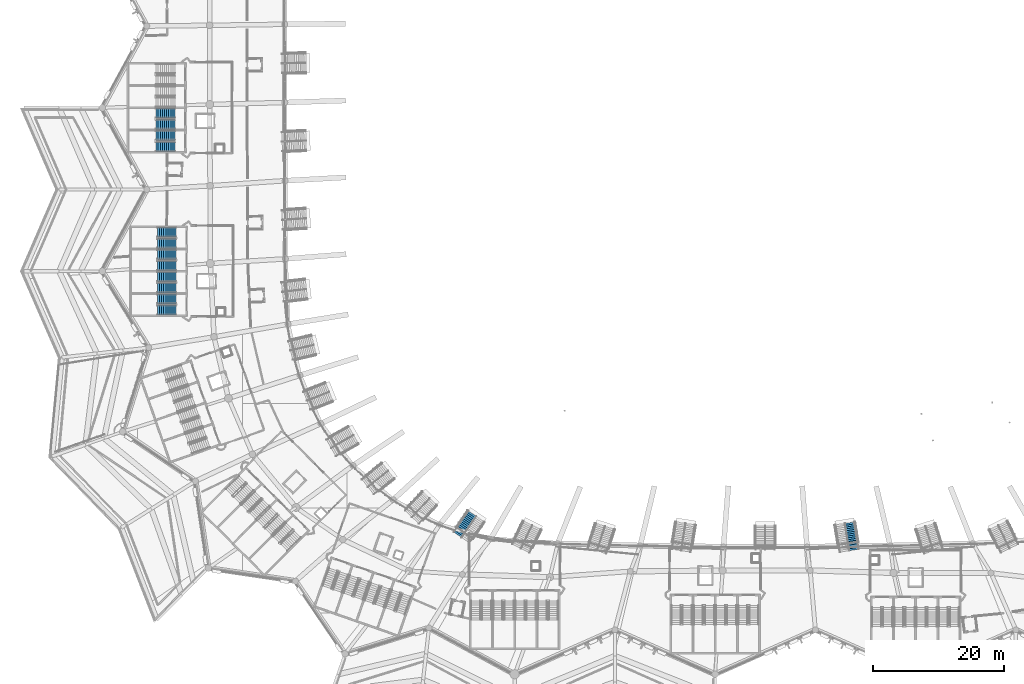
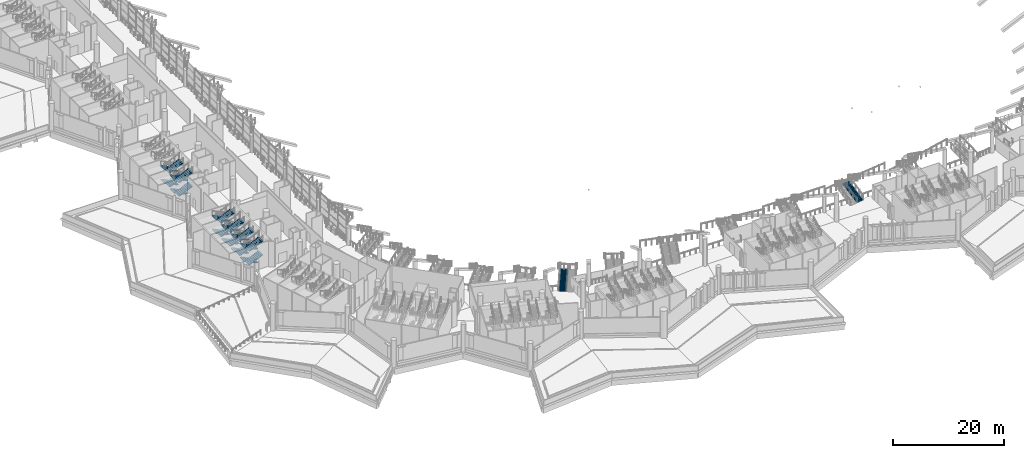
# One storey, part 84 of 173: 26 stair flights, 8 elements without a shape of their own.
"""IFC4 building model written with IfcOpenShell, lengths in metres."""

import ifcopenshell
import ifcopenshell.guid

model = None  # the IFC model being written
_history = None  # IfcOwnerHistory: only IFC2X3 demands one
_inside = {}  # id of a spatial element -> (the spatial element, [elements in it])
_under = {}  # id of a project, library or spatial element -> (it, [spatial elements below it])
_declared = {}  # id of a project -> (the project, [libraries it declares])
_typed = {}  # id of a type object -> (the type object, [elements of that type])
_made_of = {}  # id of a material, layer set ... -> (it, [elements and type objects made of it])


def new_model(schema):
    """Start an empty IFC model of exactly this schema.

    Asked for "IFC4X3", IfcOpenShell would pick the latest addendum, in which some entities
    have other attributes; the version numbers below select the first issue.
    IFC2X3 requires an IfcOwnerHistory on every rooted entity: one is made here for all.
    """
    global model, _history
    if schema == "IFC4X3":
        model = ifcopenshell.file(schema_version=(4, 3, 0, 0))
    else:
        model = ifcopenshell.file(schema=schema)
    _inside.clear()
    _under.clear()
    _declared.clear()
    _typed.clear()
    _made_of.clear()
    _history = None
    if model.schema == "IFC2X3":
        org = make("IfcOrganization", Name="unknown")
        user = make(
            "IfcPersonAndOrganization",
            ThePerson=make("IfcPerson", FamilyName="unknown"),
            TheOrganization=org,
        )
        app = make(
            "IfcApplication",
            ApplicationDeveloper=org,
            Version="unknown",
            ApplicationFullName="unknown",
            ApplicationIdentifier="unknown",
        )
        _history = make(
            "IfcOwnerHistory",
            OwningUser=user,
            OwningApplication=app,
            ChangeAction="ADDED",
            CreationDate=0,
        )
    return model


def make(cls, **values):
    """One entity of the class cls with the attributes given. An attribute that is None is left unset."""
    return model.create_entity(
        cls, **{name: value for name, value in values.items() if value is not None}
    )


def rooted(cls, **values):
    """An entity with a GlobalId (a new one), such as an element, a storey or a relation."""
    return make(cls, GlobalId=ifcopenshell.guid.new(), OwnerHistory=_history, **values)


def si_unit(unit_type, name, prefix=None):
    """IfcSIUnit, for example si_unit("LENGTHUNIT", "METRE", prefix="MILLI")."""
    return make("IfcSIUnit", UnitType=unit_type, Prefix=prefix, Name=name)


def assignment(units):
    """IfcUnitAssignment: the units of a project."""
    return None if units is None else make("IfcUnitAssignment", Units=units)


def point(xyz):
    """IfcCartesianPoint."""
    return None if xyz is None else make("IfcCartesianPoint", Coordinates=xyz)


def direction(xyz):
    """IfcDirection."""
    return None if xyz is None else make("IfcDirection", DirectionRatios=xyz)


def frame(location, z_axis=None, x_axis=None):
    """IfcAxis2Placement3D, a coordinate frame: its origin and axes. An axis left out is left unset."""
    return make(
        "IfcAxis2Placement3D",
        Location=point(location),
        Axis=direction(z_axis),
        RefDirection=direction(x_axis),
    )


def origin():
    """The frame at (0, 0, 0) with its axes left unset."""
    return frame((0.0, 0.0, 0.0))


def place(relative_to, where):
    """IfcLocalPlacement: puts the frame where relative to a parent placement (None: the world)."""
    return make(
        "IfcLocalPlacement", PlacementRelTo=relative_to, RelativePlacement=where
    )


def context(
    kind, dimensions, precision=None, world=None, true_north=None, identifier=None
):
    """IfcGeometricRepresentationContext, for example the 3D "Model" context."""
    return make(
        "IfcGeometricRepresentationContext",
        ContextIdentifier=identifier,
        ContextType=kind,
        CoordinateSpaceDimension=dimensions,
        Precision=precision,
        WorldCoordinateSystem=world,
        TrueNorth=true_north,
    )


def subcontext(parent, identifier, kind, view, scale=None):
    """IfcGeometricRepresentationSubContext, for example "Body" below "Model"."""
    return make(
        "IfcGeometricRepresentationSubContext",
        ContextIdentifier=identifier,
        ContextType=kind,
        ParentContext=parent,
        TargetScale=scale,
        TargetView=view,
    )


def project(units=None, contexts=None):
    """IfcProject with its units and contexts."""
    return rooted(
        "IfcProject",
        Name="project",
        RepresentationContexts=contexts,
        UnitsInContext=assignment(units),
    )


def spatial(cls, under=None, at=None, **own):
    """A site, building, storey or space (cls), placed at a placement, below another one or the project."""
    s = rooted(cls, ObjectPlacement=at, **own)
    if under is not None:
        _under.setdefault(under.id(), (under, []))[1].append(s)
    return s


def polyline(points):
    """IfcPolyline through the points."""
    return make("IfcPolyline", Points=[point(p) for p in points])


def outline(outer, holes=None, kind="AREA"):
    """IfcArbitraryClosedProfileDef: a profile drawn as a closed curve; with holes, ...WithVoids."""
    if holes is None:
        return make("IfcArbitraryClosedProfileDef", ProfileType=kind, OuterCurve=outer)
    return make(
        "IfcArbitraryProfileDefWithVoids",
        ProfileType=kind,
        OuterCurve=outer,
        InnerCurves=holes,
    )


def extrude(swept, where, along, depth):
    """IfcExtrudedAreaSolid: the profile swept, set in the frame where, extruded along a direction by depth."""
    return make(
        "IfcExtrudedAreaSolid",
        SweptArea=swept,
        Position=where,
        ExtrudedDirection=direction(along),
        Depth=depth,
    )


def shape(context_of_items, identifier, shape_type, items):
    """IfcShapeRepresentation: the items that make up one representation, for example the "Body"."""
    return make(
        "IfcShapeRepresentation",
        ContextOfItems=context_of_items,
        RepresentationIdentifier=identifier,
        RepresentationType=shape_type,
        Items=items,
    )


def material(Name=None, Category=None):
    """IfcMaterial."""
    return make("IfcMaterial", Name=Name, Category=Category)


def made_of(thing, what):
    """Note that an element or type object is made of a material, layer set ...; save() writes the relation."""
    if what is not None:
        _made_of.setdefault(what.id(), (what, []))[1].append(thing)
    return thing


def type_object(cls, material=None, **own):
    """A type object (cls), such as IfcWallType, which elements share."""
    return made_of(rooted(cls, **own), material)


def element(
    cls,
    number,
    at=None,
    inside=None,
    cuts=None,
    type_object=None,
    material=None,
    context=None,
    identifier="Body",
    shape_type=None,
    held_by="IfcProductDefinitionShape",
    body=None,
    shapes=None,
    **own,
):
    """One element of the class cls, such as IfcWall. Its Tag is "e" and its number.

    at: its placement. inside: the storey or other place that contains it. cuts: it is an
    opening in that element (IfcRelVoidsElement). A single representation is given by context,
    identifier, shape_type and body (its items); several are given by shapes. held_by: the class
    of the entity that holds the representations. save() writes the other relations.
    """
    e = rooted(cls, Tag="e%d" % number, ObjectPlacement=at, **own)
    if body is not None:
        shapes = [shape(context, identifier, shape_type, body)]
    if shapes is not None:
        e.Representation = make(held_by, Representations=shapes)
    if inside is not None:
        _inside.setdefault(inside.id(), (inside, []))[1].append(e)
    if cuts is not None:
        rooted(
            "IfcRelVoidsElement", RelatingBuildingElement=cuts, RelatedOpeningElement=e
        )
    if type_object is not None:
        _typed.setdefault(type_object.id(), (type_object, []))[1].append(e)
    return made_of(e, material)


def aggregate(whole, parts):
    """IfcRelAggregates: a whole, such as a stair, and the parts it consists of."""
    return rooted("IfcRelAggregates", RelatingObject=whole, RelatedObjects=parts)


def save(model, path):
    """Write the relations noted so far, then the file.

    IfcRelAggregates (storeys below a building ...), IfcRelContainedInSpatialStructure (elements
    in a storey), IfcRelDefinesByType, IfcRelAssociatesMaterial and IfcRelDeclares: one each for
    every whole, place, type object, material and project.
    """
    for whole, parts in _under.values():
        aggregate(whole, parts)
    for where, things in _inside.values():
        rooted(
            "IfcRelContainedInSpatialStructure",
            RelatedElements=things,
            RelatingStructure=where,
        )
    for kind, things in _typed.values():
        rooted("IfcRelDefinesByType", RelatedObjects=things, RelatingType=kind)
    for what, things in _made_of.values():
        rooted("IfcRelAssociatesMaterial", RelatedObjects=things, RelatingMaterial=what)
    for by, libraries in _declared.values():
        rooted("IfcRelDeclares", RelatingContext=by, RelatedDefinitions=libraries)
    model.write(path)


model = new_model("IFC4")

# Units and contexts
model_context = context("Model", 3, precision=1e-05, world=origin(), true_north=direction((0.0, 1.0)))
body_context = subcontext(model_context, "Body", "Model", "MODEL_VIEW")
ifc_project = project(units=[si_unit("LENGTHUNIT", "METRE"), si_unit("AREAUNIT", "SQUARE_METRE"), si_unit("VOLUMEUNIT", "CUBIC_METRE"), si_unit("PLANEANGLEUNIT", "RADIAN"), si_unit("MASSUNIT", "GRAM", prefix="KILO")], contexts=[model_context])

# Site, building, storey
site_placement = place(None, origin())
site = spatial("IfcSite", under=ifc_project, at=site_placement, CompositionType="ELEMENT")
building_placement = place(site_placement, origin())
building = spatial("IfcBuilding", under=site, at=building_placement, Name="Meseta Stadium", CompositionType="ELEMENT")
storey_placement = place(building_placement, frame((0.0, 0.0, 18.0)))
storey = spatial("IfcBuildingStorey", under=building, at=storey_placement, Name="L03", CompositionType="ELEMENT", Elevation=18.0)

# Stair, stair flights
ifc_material_1 = material(Name="Concrete C40/50", Category="concrete")
stair_type_1 = type_object("IfcStairType", Name="Exit stair 4 flights 150 mm risers", PredefinedType="HALF_TURN_STAIR", material=ifc_material_1)
stair_1_placement = place(storey_placement, origin())
stair_1 = element("IfcStair", 1, at=stair_1_placement, inside=storey, type_object=stair_type_1, Name="ST71 L03", PredefinedType="HALF_TURN_STAIR")
ifc_material_2 = material(Name="Concrete C40/50", Category="concrete")
stair_flight_type_1 = type_object("IfcStairFlightType", Name="Exit stair flight 150 mm risers, 4 per storey", PredefinedType="STRAIGHT", material=ifc_material_2)
stair_flight_1_placement = place(storey_placement, frame((-90.300048828125, -19.60009765625, 0.0), z_axis=(0.0, 0.0, 1.0), x_axis=(-1.0, 0.0, 0.0)))
stair_flight_1 = element("IfcStairFlight", 2, at=stair_flight_1_placement, type_object=stair_flight_type_1, Name="ST71 L03 flight 1", NumberOfRisers=10, NumberOfTreads=9, PredefinedType="STRAIGHT", RiserHeight=0.15, TreadLength=0.32, context=body_context, shape_type="SweptSolid", body=[
    extrude(outline(polyline([(0.0, 0.0), (0.0, 0.14990234375), (0.320068359375, 0.14990234375), (0.320068359375, 0.300048828125), (0.639892578125, 0.300048828125), (0.639892578125, 0.449951171875), (0.9599609375, 0.449951171875), (0.9599609375, 0.60009765625), (1.280029296875, 0.60009765625), (1.280029296875, 0.75), (1.60009765625, 0.75), (1.60009765625, 0.89990234375), (1.919921875, 0.89990234375), (1.919921875, 1.050048828125), (2.239990234375, 1.050048828125), (2.239990234375, 1.199951171875), (2.56005859375, 1.199951171875), (2.56005859375, 1.35009765625), (2.8798828125, 1.35009765625), (2.8798828125, 1.184326171875), (0.353271484375, 0.0), (0.0, 0.0)])), frame((0.0, 0.75, 0.0), z_axis=(0.0, -1.0, 0.0), x_axis=(1.0, 0.0, 0.0)), (0.0, 0.0, 1.0), 1.5),
])
stair_flight_2_placement = place(storey_placement, frame((-93.179931640625, -21.300048828125, 1.5), z_axis=(0.0, 0.0, 1.0), x_axis=(1.0, 0.0, 0.0)))
stair_flight_2 = element("IfcStairFlight", 3, at=stair_flight_2_placement, type_object=stair_flight_type_1, Name="ST71 L03 flight 2", NumberOfRisers=10, NumberOfTreads=9, PredefinedType="STRAIGHT", RiserHeight=0.15, TreadLength=0.32, context=body_context, shape_type="SweptSolid", body=[
    extrude(outline(polyline([(0.0, 0.0), (0.0, 0.14990234375), (0.320068359375, 0.14990234375), (0.320068359375, 0.300048828125), (0.639892578125, 0.300048828125), (0.639892578125, 0.449951171875), (0.9599609375, 0.449951171875), (0.9599609375, 0.60009765625), (1.280029296875, 0.60009765625), (1.280029296875, 0.75), (1.60009765625, 0.75), (1.60009765625, 0.89990234375), (1.919921875, 0.89990234375), (1.919921875, 1.050048828125), (2.239990234375, 1.050048828125), (2.239990234375, 1.199951171875), (2.56005859375, 1.199951171875), (2.56005859375, 1.35009765625), (2.8798828125, 1.35009765625), (2.8798828125, 1.184326171875), (0.353271484375, 0.0), (0.0, 0.0)])), frame((0.0, 0.75, 0.0), z_axis=(0.0, -1.0, 0.0), x_axis=(1.0, 0.0, 0.0)), (0.0, 0.0, 1.0), 1.5),
])
stair_flight_3_placement = place(storey_placement, frame((-90.300048828125, -19.60009765625, 3.0), z_axis=(0.0, 0.0, 1.0), x_axis=(-1.0, 0.0, 0.0)))
stair_flight_3 = element("IfcStairFlight", 4, at=stair_flight_3_placement, type_object=stair_flight_type_1, Name="ST71 L03 flight 3", NumberOfRisers=10, NumberOfTreads=9, PredefinedType="STRAIGHT", RiserHeight=0.15, TreadLength=0.32, context=body_context, shape_type="SweptSolid", body=[
    extrude(outline(polyline([(0.0, 0.0), (0.0, 0.14990234375), (0.320068359375, 0.14990234375), (0.320068359375, 0.300048828125), (0.639892578125, 0.300048828125), (0.639892578125, 0.449951171875), (0.9599609375, 0.449951171875), (0.9599609375, 0.60009765625), (1.280029296875, 0.60009765625), (1.280029296875, 0.75), (1.60009765625, 0.75), (1.60009765625, 0.89990234375), (1.919921875, 0.89990234375), (1.919921875, 1.050048828125), (2.239990234375, 1.050048828125), (2.239990234375, 1.199951171875), (2.56005859375, 1.199951171875), (2.56005859375, 1.35009765625), (2.8798828125, 1.35009765625), (2.8798828125, 1.184326171875), (0.353271484375, 0.0), (0.0, 0.0)])), frame((0.0, 0.75, 0.0), z_axis=(0.0, -1.0, 0.0), x_axis=(1.0, 0.0, 0.0)), (0.0, 0.0, 1.0), 1.5),
])
stair_flight_4_placement = place(storey_placement, frame((-93.179931640625, -21.300048828125, 4.5), z_axis=(0.0, 0.0, 1.0), x_axis=(1.0, 0.0, 0.0)))
stair_flight_4 = element("IfcStairFlight", 5, at=stair_flight_4_placement, type_object=stair_flight_type_1, Name="ST71 L03 flight 4", NumberOfRisers=10, NumberOfTreads=9, PredefinedType="STRAIGHT", RiserHeight=0.15, TreadLength=0.32, context=body_context, shape_type="SweptSolid", body=[
    extrude(outline(polyline([(0.0, 0.0), (0.0, 0.14990234375), (0.320068359375, 0.14990234375), (0.320068359375, 0.300048828125), (0.639892578125, 0.300048828125), (0.639892578125, 0.449951171875), (0.9599609375, 0.449951171875), (0.9599609375, 0.60009765625), (1.280029296875, 0.60009765625), (1.280029296875, 0.75), (1.60009765625, 0.75), (1.60009765625, 0.89990234375), (1.919921875, 0.89990234375), (1.919921875, 1.050048828125), (2.239990234375, 1.050048828125), (2.239990234375, 1.199951171875), (2.56005859375, 1.199951171875), (2.56005859375, 1.35009765625), (2.8798828125, 1.35009765625), (2.8798828125, 1.184326171875), (0.353271484375, 0.0), (0.0, 0.0)])), frame((0.0, 0.75, 0.0), z_axis=(0.0, -1.0, 0.0), x_axis=(1.0, 0.0, 0.0)), (0.0, 0.0, 1.0), 1.5),
])
aggregate(stair_1, [stair_flight_1, stair_flight_2, stair_flight_3, stair_flight_4])

stair_2_placement = place(storey_placement, origin())
stair_2 = element("IfcStair", 6, at=stair_2_placement, inside=storey, type_object=stair_type_1, Name="ST72 L03", PredefinedType="HALF_TURN_STAIR")
stair_flight_5_placement = place(storey_placement, frame((-90.300048828125, -23.0, 0.0), z_axis=(0.0, 0.0, 1.0), x_axis=(-1.0, 0.0, 0.0)))
stair_flight_5 = element("IfcStairFlight", 7, at=stair_flight_5_placement, type_object=stair_flight_type_1, Name="ST72 L03 flight 1", NumberOfRisers=10, NumberOfTreads=9, PredefinedType="STRAIGHT", RiserHeight=0.15, TreadLength=0.32, context=body_context, shape_type="SweptSolid", body=[
    extrude(outline(polyline([(0.0, 0.0), (0.0, 0.14990234375), (0.320068359375, 0.14990234375), (0.320068359375, 0.300048828125), (0.639892578125, 0.300048828125), (0.639892578125, 0.449951171875), (0.9599609375, 0.449951171875), (0.9599609375, 0.60009765625), (1.280029296875, 0.60009765625), (1.280029296875, 0.75), (1.60009765625, 0.75), (1.60009765625, 0.89990234375), (1.919921875, 0.89990234375), (1.919921875, 1.050048828125), (2.239990234375, 1.050048828125), (2.239990234375, 1.199951171875), (2.56005859375, 1.199951171875), (2.56005859375, 1.35009765625), (2.8798828125, 1.35009765625), (2.8798828125, 1.184326171875), (0.353271484375, 0.0), (0.0, 0.0)])), frame((0.0, 0.75, 0.0), z_axis=(0.0, -1.0, 0.0), x_axis=(1.0, 0.0, 0.0)), (0.0, 0.0, 1.0), 1.5),
])
stair_flight_6_placement = place(storey_placement, frame((-93.179931640625, -24.699951171875, 1.5), z_axis=(0.0, 0.0, 1.0), x_axis=(1.0, 0.0, 0.0)))
stair_flight_6 = element("IfcStairFlight", 8, at=stair_flight_6_placement, type_object=stair_flight_type_1, Name="ST72 L03 flight 2", NumberOfRisers=10, NumberOfTreads=9, PredefinedType="STRAIGHT", RiserHeight=0.15, TreadLength=0.32, context=body_context, shape_type="SweptSolid", body=[
    extrude(outline(polyline([(0.0, 0.0), (0.0, 0.14990234375), (0.320068359375, 0.14990234375), (0.320068359375, 0.300048828125), (0.639892578125, 0.300048828125), (0.639892578125, 0.449951171875), (0.9599609375, 0.449951171875), (0.9599609375, 0.60009765625), (1.280029296875, 0.60009765625), (1.280029296875, 0.75), (1.60009765625, 0.75), (1.60009765625, 0.89990234375), (1.919921875, 0.89990234375), (1.919921875, 1.050048828125), (2.239990234375, 1.050048828125), (2.239990234375, 1.199951171875), (2.56005859375, 1.199951171875), (2.56005859375, 1.35009765625), (2.8798828125, 1.35009765625), (2.8798828125, 1.184326171875), (0.353271484375, 0.0), (0.0, 0.0)])), frame((0.0, 0.75, 0.0), z_axis=(0.0, -1.0, 0.0), x_axis=(1.0, 0.0, 0.0)), (0.0, 0.0, 1.0), 1.5),
])
stair_flight_7_placement = place(storey_placement, frame((-90.300048828125, -23.0, 3.0), z_axis=(0.0, 0.0, 1.0), x_axis=(-1.0, 0.0, 0.0)))
stair_flight_7 = element("IfcStairFlight", 9, at=stair_flight_7_placement, type_object=stair_flight_type_1, Name="ST72 L03 flight 3", NumberOfRisers=10, NumberOfTreads=9, PredefinedType="STRAIGHT", RiserHeight=0.15, TreadLength=0.32, context=body_context, shape_type="SweptSolid", body=[
    extrude(outline(polyline([(0.0, 0.0), (0.0, 0.14990234375), (0.320068359375, 0.14990234375), (0.320068359375, 0.300048828125), (0.639892578125, 0.300048828125), (0.639892578125, 0.449951171875), (0.9599609375, 0.449951171875), (0.9599609375, 0.60009765625), (1.280029296875, 0.60009765625), (1.280029296875, 0.75), (1.60009765625, 0.75), (1.60009765625, 0.89990234375), (1.919921875, 0.89990234375), (1.919921875, 1.050048828125), (2.239990234375, 1.050048828125), (2.239990234375, 1.199951171875), (2.56005859375, 1.199951171875), (2.56005859375, 1.35009765625), (2.8798828125, 1.35009765625), (2.8798828125, 1.184326171875), (0.353271484375, 0.0), (0.0, 0.0)])), frame((0.0, 0.75, 0.0), z_axis=(0.0, -1.0, 0.0), x_axis=(1.0, 0.0, 0.0)), (0.0, 0.0, 1.0), 1.5),
])
stair_flight_8_placement = place(storey_placement, frame((-93.179931640625, -24.699951171875, 4.5), z_axis=(0.0, 0.0, 1.0), x_axis=(1.0, 0.0, 0.0)))
stair_flight_8 = element("IfcStairFlight", 10, at=stair_flight_8_placement, type_object=stair_flight_type_1, Name="ST72 L03 flight 4", NumberOfRisers=10, NumberOfTreads=9, PredefinedType="STRAIGHT", RiserHeight=0.15, TreadLength=0.32, context=body_context, shape_type="SweptSolid", body=[
    extrude(outline(polyline([(0.0, 0.0), (0.0, 0.14990234375), (0.320068359375, 0.14990234375), (0.320068359375, 0.300048828125), (0.639892578125, 0.300048828125), (0.639892578125, 0.449951171875), (0.9599609375, 0.449951171875), (0.9599609375, 0.60009765625), (1.280029296875, 0.60009765625), (1.280029296875, 0.75), (1.60009765625, 0.75), (1.60009765625, 0.89990234375), (1.919921875, 0.89990234375), (1.919921875, 1.050048828125), (2.239990234375, 1.050048828125), (2.239990234375, 1.199951171875), (2.56005859375, 1.199951171875), (2.56005859375, 1.35009765625), (2.8798828125, 1.35009765625), (2.8798828125, 1.184326171875), (0.353271484375, 0.0), (0.0, 0.0)])), frame((0.0, 0.75, 0.0), z_axis=(0.0, -1.0, 0.0), x_axis=(1.0, 0.0, 0.0)), (0.0, 0.0, 1.0), 1.5),
])
aggregate(stair_2, [stair_flight_5, stair_flight_6, stair_flight_7, stair_flight_8])

stair_3_placement = place(storey_placement, origin())
stair_3 = element("IfcStair", 11, at=stair_3_placement, inside=storey, type_object=stair_type_1, Name="ST73 L03", PredefinedType="HALF_TURN_STAIR")
stair_flight_9_placement = place(storey_placement, frame((-90.10009765625, -37.800048828125, 0.0), z_axis=(0.0, 0.0, 1.0), x_axis=(-1.0, 0.0, 0.0)))
stair_flight_9 = element("IfcStairFlight", 12, at=stair_flight_9_placement, type_object=stair_flight_type_1, Name="ST73 L03 flight 1", NumberOfRisers=10, NumberOfTreads=9, PredefinedType="STRAIGHT", RiserHeight=0.15, TreadLength=0.32, context=body_context, shape_type="SweptSolid", body=[
    extrude(outline(polyline([(0.0, 0.0), (0.0, 0.14990234375), (0.320068359375, 0.14990234375), (0.320068359375, 0.300048828125), (0.639892578125, 0.300048828125), (0.639892578125, 0.449951171875), (0.9599609375, 0.449951171875), (0.9599609375, 0.60009765625), (1.280029296875, 0.60009765625), (1.280029296875, 0.75), (1.60009765625, 0.75), (1.60009765625, 0.89990234375), (1.919921875, 0.89990234375), (1.919921875, 1.050048828125), (2.239990234375, 1.050048828125), (2.239990234375, 1.199951171875), (2.56005859375, 1.199951171875), (2.56005859375, 1.35009765625), (2.8798828125, 1.35009765625), (2.8798828125, 1.184326171875), (0.353271484375, 0.0), (0.0, 0.0)])), frame((0.0, 0.75, 0.0), z_axis=(0.0, -1.0, 0.0), x_axis=(1.0, 0.0, 0.0)), (0.0, 0.0, 1.0), 1.5),
])
stair_flight_10_placement = place(storey_placement, frame((-92.97998046875, -39.5, 1.5), z_axis=(0.0, 0.0, 1.0), x_axis=(1.0, 0.0, 0.0)))
stair_flight_10 = element("IfcStairFlight", 13, at=stair_flight_10_placement, type_object=stair_flight_type_1, Name="ST73 L03 flight 2", NumberOfRisers=10, NumberOfTreads=9, PredefinedType="STRAIGHT", RiserHeight=0.15, TreadLength=0.32, context=body_context, shape_type="SweptSolid", body=[
    extrude(outline(polyline([(0.0, 0.0), (0.0, 0.14990234375), (0.320068359375, 0.14990234375), (0.320068359375, 0.300048828125), (0.639892578125, 0.300048828125), (0.639892578125, 0.449951171875), (0.9599609375, 0.449951171875), (0.9599609375, 0.60009765625), (1.280029296875, 0.60009765625), (1.280029296875, 0.75), (1.60009765625, 0.75), (1.60009765625, 0.89990234375), (1.919921875, 0.89990234375), (1.919921875, 1.050048828125), (2.239990234375, 1.050048828125), (2.239990234375, 1.199951171875), (2.56005859375, 1.199951171875), (2.56005859375, 1.35009765625), (2.8798828125, 1.35009765625), (2.8798828125, 1.184326171875), (0.353271484375, 0.0), (0.0, 0.0)])), frame((0.0, 0.75, 0.0), z_axis=(0.0, -1.0, 0.0), x_axis=(1.0, 0.0, 0.0)), (0.0, 0.0, 1.0), 1.5),
])
stair_flight_11_placement = place(storey_placement, frame((-90.10009765625, -37.800048828125, 3.0), z_axis=(0.0, 0.0, 1.0), x_axis=(-1.0, 0.0, 0.0)))
stair_flight_11 = element("IfcStairFlight", 14, at=stair_flight_11_placement, type_object=stair_flight_type_1, Name="ST73 L03 flight 3", NumberOfRisers=10, NumberOfTreads=9, PredefinedType="STRAIGHT", RiserHeight=0.15, TreadLength=0.32, context=body_context, shape_type="SweptSolid", body=[
    extrude(outline(polyline([(0.0, 0.0), (0.0, 0.14990234375), (0.320068359375, 0.14990234375), (0.320068359375, 0.300048828125), (0.639892578125, 0.300048828125), (0.639892578125, 0.449951171875), (0.9599609375, 0.449951171875), (0.9599609375, 0.60009765625), (1.280029296875, 0.60009765625), (1.280029296875, 0.75), (1.60009765625, 0.75), (1.60009765625, 0.89990234375), (1.919921875, 0.89990234375), (1.919921875, 1.050048828125), (2.239990234375, 1.050048828125), (2.239990234375, 1.199951171875), (2.56005859375, 1.199951171875), (2.56005859375, 1.35009765625), (2.8798828125, 1.35009765625), (2.8798828125, 1.184326171875), (0.353271484375, 0.0), (0.0, 0.0)])), frame((0.0, 0.75, 0.0), z_axis=(0.0, -1.0, 0.0), x_axis=(1.0, 0.0, 0.0)), (0.0, 0.0, 1.0), 1.5),
])
stair_flight_12_placement = place(storey_placement, frame((-92.97998046875, -39.5, 4.5), z_axis=(0.0, 0.0, 1.0), x_axis=(1.0, 0.0, 0.0)))
stair_flight_12 = element("IfcStairFlight", 15, at=stair_flight_12_placement, type_object=stair_flight_type_1, Name="ST73 L03 flight 4", NumberOfRisers=10, NumberOfTreads=9, PredefinedType="STRAIGHT", RiserHeight=0.15, TreadLength=0.32, context=body_context, shape_type="SweptSolid", body=[
    extrude(outline(polyline([(0.0, 0.0), (0.0, 0.14990234375), (0.320068359375, 0.14990234375), (0.320068359375, 0.300048828125), (0.639892578125, 0.300048828125), (0.639892578125, 0.449951171875), (0.9599609375, 0.449951171875), (0.9599609375, 0.60009765625), (1.280029296875, 0.60009765625), (1.280029296875, 0.75), (1.60009765625, 0.75), (1.60009765625, 0.89990234375), (1.919921875, 0.89990234375), (1.919921875, 1.050048828125), (2.239990234375, 1.050048828125), (2.239990234375, 1.199951171875), (2.56005859375, 1.199951171875), (2.56005859375, 1.35009765625), (2.8798828125, 1.35009765625), (2.8798828125, 1.184326171875), (0.353271484375, 0.0), (0.0, 0.0)])), frame((0.0, 0.75, 0.0), z_axis=(0.0, -1.0, 0.0), x_axis=(1.0, 0.0, 0.0)), (0.0, 0.0, 1.0), 1.5),
])
aggregate(stair_3, [stair_flight_9, stair_flight_10, stair_flight_11, stair_flight_12])

stair_4_placement = place(storey_placement, origin())
stair_4 = element("IfcStair", 16, at=stair_4_placement, inside=storey, type_object=stair_type_1, Name="ST74 L03", PredefinedType="HALF_TURN_STAIR")
stair_flight_13_placement = place(storey_placement, frame((-90.10009765625, -41.199951171875, 0.0), z_axis=(0.0, 0.0, 1.0), x_axis=(-1.0, 0.0, 0.0)))
stair_flight_13 = element("IfcStairFlight", 17, at=stair_flight_13_placement, type_object=stair_flight_type_1, Name="ST74 L03 flight 1", NumberOfRisers=10, NumberOfTreads=9, PredefinedType="STRAIGHT", RiserHeight=0.15, TreadLength=0.32, context=body_context, shape_type="SweptSolid", body=[
    extrude(outline(polyline([(0.0, 0.0), (0.0, 0.14990234375), (0.320068359375, 0.14990234375), (0.320068359375, 0.300048828125), (0.639892578125, 0.300048828125), (0.639892578125, 0.449951171875), (0.9599609375, 0.449951171875), (0.9599609375, 0.60009765625), (1.280029296875, 0.60009765625), (1.280029296875, 0.75), (1.60009765625, 0.75), (1.60009765625, 0.89990234375), (1.919921875, 0.89990234375), (1.919921875, 1.050048828125), (2.239990234375, 1.050048828125), (2.239990234375, 1.199951171875), (2.56005859375, 1.199951171875), (2.56005859375, 1.35009765625), (2.8798828125, 1.35009765625), (2.8798828125, 1.184326171875), (0.353271484375, 0.0), (0.0, 0.0)])), frame((0.0, 0.75, 0.0), z_axis=(0.0, -1.0, 0.0), x_axis=(1.0, 0.0, 0.0)), (0.0, 0.0, 1.0), 1.5),
])
stair_flight_14_placement = place(storey_placement, frame((-92.97998046875, -42.89990234375, 1.5), z_axis=(0.0, 0.0, 1.0), x_axis=(1.0, 0.0, 0.0)))
stair_flight_14 = element("IfcStairFlight", 18, at=stair_flight_14_placement, type_object=stair_flight_type_1, Name="ST74 L03 flight 2", NumberOfRisers=10, NumberOfTreads=9, PredefinedType="STRAIGHT", RiserHeight=0.15, TreadLength=0.32, context=body_context, shape_type="SweptSolid", body=[
    extrude(outline(polyline([(0.0, 0.0), (0.0, 0.14990234375), (0.320068359375, 0.14990234375), (0.320068359375, 0.300048828125), (0.639892578125, 0.300048828125), (0.639892578125, 0.449951171875), (0.9599609375, 0.449951171875), (0.9599609375, 0.60009765625), (1.280029296875, 0.60009765625), (1.280029296875, 0.75), (1.60009765625, 0.75), (1.60009765625, 0.89990234375), (1.919921875, 0.89990234375), (1.919921875, 1.050048828125), (2.239990234375, 1.050048828125), (2.239990234375, 1.199951171875), (2.56005859375, 1.199951171875), (2.56005859375, 1.35009765625), (2.8798828125, 1.35009765625), (2.8798828125, 1.184326171875), (0.353271484375, 0.0), (0.0, 0.0)])), frame((0.0, 0.75, 0.0), z_axis=(0.0, -1.0, 0.0), x_axis=(1.0, 0.0, 0.0)), (0.0, 0.0, 1.0), 1.5),
])
stair_flight_15_placement = place(storey_placement, frame((-90.10009765625, -41.199951171875, 3.0), z_axis=(0.0, 0.0, 1.0), x_axis=(-1.0, 0.0, 0.0)))
stair_flight_15 = element("IfcStairFlight", 19, at=stair_flight_15_placement, type_object=stair_flight_type_1, Name="ST74 L03 flight 3", NumberOfRisers=10, NumberOfTreads=9, PredefinedType="STRAIGHT", RiserHeight=0.15, TreadLength=0.32, context=body_context, shape_type="SweptSolid", body=[
    extrude(outline(polyline([(0.0, 0.0), (0.0, 0.14990234375), (0.320068359375, 0.14990234375), (0.320068359375, 0.300048828125), (0.639892578125, 0.300048828125), (0.639892578125, 0.449951171875), (0.9599609375, 0.449951171875), (0.9599609375, 0.60009765625), (1.280029296875, 0.60009765625), (1.280029296875, 0.75), (1.60009765625, 0.75), (1.60009765625, 0.89990234375), (1.919921875, 0.89990234375), (1.919921875, 1.050048828125), (2.239990234375, 1.050048828125), (2.239990234375, 1.199951171875), (2.56005859375, 1.199951171875), (2.56005859375, 1.35009765625), (2.8798828125, 1.35009765625), (2.8798828125, 1.184326171875), (0.353271484375, 0.0), (0.0, 0.0)])), frame((0.0, 0.75, 0.0), z_axis=(0.0, -1.0, 0.0), x_axis=(1.0, 0.0, 0.0)), (0.0, 0.0, 1.0), 1.5),
])
stair_flight_16_placement = place(storey_placement, frame((-92.97998046875, -42.89990234375, 4.5), z_axis=(0.0, 0.0, 1.0), x_axis=(1.0, 0.0, 0.0)))
stair_flight_16 = element("IfcStairFlight", 20, at=stair_flight_16_placement, type_object=stair_flight_type_1, Name="ST74 L03 flight 4", NumberOfRisers=10, NumberOfTreads=9, PredefinedType="STRAIGHT", RiserHeight=0.15, TreadLength=0.32, context=body_context, shape_type="SweptSolid", body=[
    extrude(outline(polyline([(0.0, 0.0), (0.0, 0.14990234375), (0.320068359375, 0.14990234375), (0.320068359375, 0.300048828125), (0.639892578125, 0.300048828125), (0.639892578125, 0.449951171875), (0.9599609375, 0.449951171875), (0.9599609375, 0.60009765625), (1.280029296875, 0.60009765625), (1.280029296875, 0.75), (1.60009765625, 0.75), (1.60009765625, 0.89990234375), (1.919921875, 0.89990234375), (1.919921875, 1.050048828125), (2.239990234375, 1.050048828125), (2.239990234375, 1.199951171875), (2.56005859375, 1.199951171875), (2.56005859375, 1.35009765625), (2.8798828125, 1.35009765625), (2.8798828125, 1.184326171875), (0.353271484375, 0.0), (0.0, 0.0)])), frame((0.0, 0.75, 0.0), z_axis=(0.0, -1.0, 0.0), x_axis=(1.0, 0.0, 0.0)), (0.0, 0.0, 1.0), 1.5),
])
aggregate(stair_4, [stair_flight_13, stair_flight_14, stair_flight_15, stair_flight_16])

stair_5_placement = place(storey_placement, origin())
stair_5 = element("IfcStair", 21, at=stair_5_placement, inside=storey, type_object=stair_type_1, Name="ST75 L03", PredefinedType="HALF_TURN_STAIR")
stair_flight_17_placement = place(storey_placement, frame((-90.10009765625, -44.60009765625, 0.0), z_axis=(0.0, 0.0, 1.0), x_axis=(-1.0, 0.0, 0.0)))
stair_flight_17 = element("IfcStairFlight", 22, at=stair_flight_17_placement, type_object=stair_flight_type_1, Name="ST75 L03 flight 1", NumberOfRisers=10, NumberOfTreads=9, PredefinedType="STRAIGHT", RiserHeight=0.15, TreadLength=0.32, context=body_context, shape_type="SweptSolid", body=[
    extrude(outline(polyline([(0.0, 0.0), (0.0, 0.14990234375), (0.320068359375, 0.14990234375), (0.320068359375, 0.300048828125), (0.639892578125, 0.300048828125), (0.639892578125, 0.449951171875), (0.9599609375, 0.449951171875), (0.9599609375, 0.60009765625), (1.280029296875, 0.60009765625), (1.280029296875, 0.75), (1.60009765625, 0.75), (1.60009765625, 0.89990234375), (1.919921875, 0.89990234375), (1.919921875, 1.050048828125), (2.239990234375, 1.050048828125), (2.239990234375, 1.199951171875), (2.56005859375, 1.199951171875), (2.56005859375, 1.35009765625), (2.8798828125, 1.35009765625), (2.8798828125, 1.184326171875), (0.353271484375, 0.0), (0.0, 0.0)])), frame((0.0, 0.75, 0.0), z_axis=(0.0, -1.0, 0.0), x_axis=(1.0, 0.0, 0.0)), (0.0, 0.0, 1.0), 1.5),
])
stair_flight_18_placement = place(storey_placement, frame((-92.97998046875, -46.300048828125, 1.5), z_axis=(0.0, 0.0, 1.0), x_axis=(1.0, 0.0, 0.0)))
stair_flight_18 = element("IfcStairFlight", 23, at=stair_flight_18_placement, type_object=stair_flight_type_1, Name="ST75 L03 flight 2", NumberOfRisers=10, NumberOfTreads=9, PredefinedType="STRAIGHT", RiserHeight=0.15, TreadLength=0.32, context=body_context, shape_type="SweptSolid", body=[
    extrude(outline(polyline([(0.0, 0.0), (0.0, 0.14990234375), (0.320068359375, 0.14990234375), (0.320068359375, 0.300048828125), (0.639892578125, 0.300048828125), (0.639892578125, 0.449951171875), (0.9599609375, 0.449951171875), (0.9599609375, 0.60009765625), (1.280029296875, 0.60009765625), (1.280029296875, 0.75), (1.60009765625, 0.75), (1.60009765625, 0.89990234375), (1.919921875, 0.89990234375), (1.919921875, 1.050048828125), (2.239990234375, 1.050048828125), (2.239990234375, 1.199951171875), (2.56005859375, 1.199951171875), (2.56005859375, 1.35009765625), (2.8798828125, 1.35009765625), (2.8798828125, 1.184326171875), (0.353271484375, 0.0), (0.0, 0.0)])), frame((0.0, 0.75, 0.0), z_axis=(0.0, -1.0, 0.0), x_axis=(1.0, 0.0, 0.0)), (0.0, 0.0, 1.0), 1.5),
])
stair_flight_19_placement = place(storey_placement, frame((-90.10009765625, -44.60009765625, 3.0), z_axis=(0.0, 0.0, 1.0), x_axis=(-1.0, 0.0, 0.0)))
stair_flight_19 = element("IfcStairFlight", 24, at=stair_flight_19_placement, type_object=stair_flight_type_1, Name="ST75 L03 flight 3", NumberOfRisers=10, NumberOfTreads=9, PredefinedType="STRAIGHT", RiserHeight=0.15, TreadLength=0.32, context=body_context, shape_type="SweptSolid", body=[
    extrude(outline(polyline([(0.0, 0.0), (0.0, 0.14990234375), (0.320068359375, 0.14990234375), (0.320068359375, 0.300048828125), (0.639892578125, 0.300048828125), (0.639892578125, 0.449951171875), (0.9599609375, 0.449951171875), (0.9599609375, 0.60009765625), (1.280029296875, 0.60009765625), (1.280029296875, 0.75), (1.60009765625, 0.75), (1.60009765625, 0.89990234375), (1.919921875, 0.89990234375), (1.919921875, 1.050048828125), (2.239990234375, 1.050048828125), (2.239990234375, 1.199951171875), (2.56005859375, 1.199951171875), (2.56005859375, 1.35009765625), (2.8798828125, 1.35009765625), (2.8798828125, 1.184326171875), (0.353271484375, 0.0), (0.0, 0.0)])), frame((0.0, 0.75, 0.0), z_axis=(0.0, -1.0, 0.0), x_axis=(1.0, 0.0, 0.0)), (0.0, 0.0, 1.0), 1.5),
])
stair_flight_20_placement = place(storey_placement, frame((-92.97998046875, -46.300048828125, 4.5), z_axis=(0.0, 0.0, 1.0), x_axis=(1.0, 0.0, 0.0)))
stair_flight_20 = element("IfcStairFlight", 25, at=stair_flight_20_placement, type_object=stair_flight_type_1, Name="ST75 L03 flight 4", NumberOfRisers=10, NumberOfTreads=9, PredefinedType="STRAIGHT", RiserHeight=0.15, TreadLength=0.32, context=body_context, shape_type="SweptSolid", body=[
    extrude(outline(polyline([(0.0, 0.0), (0.0, 0.14990234375), (0.320068359375, 0.14990234375), (0.320068359375, 0.300048828125), (0.639892578125, 0.300048828125), (0.639892578125, 0.449951171875), (0.9599609375, 0.449951171875), (0.9599609375, 0.60009765625), (1.280029296875, 0.60009765625), (1.280029296875, 0.75), (1.60009765625, 0.75), (1.60009765625, 0.89990234375), (1.919921875, 0.89990234375), (1.919921875, 1.050048828125), (2.239990234375, 1.050048828125), (2.239990234375, 1.199951171875), (2.56005859375, 1.199951171875), (2.56005859375, 1.35009765625), (2.8798828125, 1.35009765625), (2.8798828125, 1.184326171875), (0.353271484375, 0.0), (0.0, 0.0)])), frame((0.0, 0.75, 0.0), z_axis=(0.0, -1.0, 0.0), x_axis=(1.0, 0.0, 0.0)), (0.0, 0.0, 1.0), 1.5),
])
aggregate(stair_5, [stair_flight_17, stair_flight_18, stair_flight_19, stair_flight_20])

stair_6_placement = place(storey_placement, origin())
stair_6 = element("IfcStair", 26, at=stair_6_placement, inside=storey, type_object=stair_type_1, Name="ST76 L03", PredefinedType="HALF_TURN_STAIR")
stair_flight_21_placement = place(storey_placement, frame((-90.10009765625, -48.0, 0.0), z_axis=(0.0, 0.0, 1.0), x_axis=(-1.0, 0.0, 0.0)))
stair_flight_21 = element("IfcStairFlight", 27, at=stair_flight_21_placement, type_object=stair_flight_type_1, Name="ST76 L03 flight 1", NumberOfRisers=10, NumberOfTreads=9, PredefinedType="STRAIGHT", RiserHeight=0.15, TreadLength=0.32, context=body_context, shape_type="SweptSolid", body=[
    extrude(outline(polyline([(0.0, 0.0), (0.0, 0.14990234375), (0.320068359375, 0.14990234375), (0.320068359375, 0.300048828125), (0.639892578125, 0.300048828125), (0.639892578125, 0.449951171875), (0.9599609375, 0.449951171875), (0.9599609375, 0.60009765625), (1.280029296875, 0.60009765625), (1.280029296875, 0.75), (1.60009765625, 0.75), (1.60009765625, 0.89990234375), (1.919921875, 0.89990234375), (1.919921875, 1.050048828125), (2.239990234375, 1.050048828125), (2.239990234375, 1.199951171875), (2.56005859375, 1.199951171875), (2.56005859375, 1.35009765625), (2.8798828125, 1.35009765625), (2.8798828125, 1.184326171875), (0.353271484375, 0.0), (0.0, 0.0)])), frame((0.0, 0.75, 0.0), z_axis=(0.0, -1.0, 0.0), x_axis=(1.0, 0.0, 0.0)), (0.0, 0.0, 1.0), 1.5),
])
stair_flight_22_placement = place(storey_placement, frame((-92.97998046875, -49.699951171875, 1.5), z_axis=(0.0, 0.0, 1.0), x_axis=(1.0, 0.0, 0.0)))
stair_flight_22 = element("IfcStairFlight", 28, at=stair_flight_22_placement, type_object=stair_flight_type_1, Name="ST76 L03 flight 2", NumberOfRisers=10, NumberOfTreads=9, PredefinedType="STRAIGHT", RiserHeight=0.15, TreadLength=0.32, context=body_context, shape_type="SweptSolid", body=[
    extrude(outline(polyline([(0.0, 0.0), (0.0, 0.14990234375), (0.320068359375, 0.14990234375), (0.320068359375, 0.300048828125), (0.639892578125, 0.300048828125), (0.639892578125, 0.449951171875), (0.9599609375, 0.449951171875), (0.9599609375, 0.60009765625), (1.280029296875, 0.60009765625), (1.280029296875, 0.75), (1.60009765625, 0.75), (1.60009765625, 0.89990234375), (1.919921875, 0.89990234375), (1.919921875, 1.050048828125), (2.239990234375, 1.050048828125), (2.239990234375, 1.199951171875), (2.56005859375, 1.199951171875), (2.56005859375, 1.35009765625), (2.8798828125, 1.35009765625), (2.8798828125, 1.184326171875), (0.353271484375, 0.0), (0.0, 0.0)])), frame((0.0, 0.75, 0.0), z_axis=(0.0, -1.0, 0.0), x_axis=(1.0, 0.0, 0.0)), (0.0, 0.0, 1.0), 1.5),
])
stair_flight_23_placement = place(storey_placement, frame((-90.10009765625, -48.0, 3.0), z_axis=(0.0, 0.0, 1.0), x_axis=(-1.0, 0.0, 0.0)))
stair_flight_23 = element("IfcStairFlight", 29, at=stair_flight_23_placement, type_object=stair_flight_type_1, Name="ST76 L03 flight 3", NumberOfRisers=10, NumberOfTreads=9, PredefinedType="STRAIGHT", RiserHeight=0.15, TreadLength=0.32, context=body_context, shape_type="SweptSolid", body=[
    extrude(outline(polyline([(0.0, 0.0), (0.0, 0.14990234375), (0.320068359375, 0.14990234375), (0.320068359375, 0.300048828125), (0.639892578125, 0.300048828125), (0.639892578125, 0.449951171875), (0.9599609375, 0.449951171875), (0.9599609375, 0.60009765625), (1.280029296875, 0.60009765625), (1.280029296875, 0.75), (1.60009765625, 0.75), (1.60009765625, 0.89990234375), (1.919921875, 0.89990234375), (1.919921875, 1.050048828125), (2.239990234375, 1.050048828125), (2.239990234375, 1.199951171875), (2.56005859375, 1.199951171875), (2.56005859375, 1.35009765625), (2.8798828125, 1.35009765625), (2.8798828125, 1.184326171875), (0.353271484375, 0.0), (0.0, 0.0)])), frame((0.0, 0.75, 0.0), z_axis=(0.0, -1.0, 0.0), x_axis=(1.0, 0.0, 0.0)), (0.0, 0.0, 1.0), 1.5),
])
stair_flight_24_placement = place(storey_placement, frame((-92.97998046875, -49.699951171875, 4.5), z_axis=(0.0, 0.0, 1.0), x_axis=(1.0, 0.0, 0.0)))
stair_flight_24 = element("IfcStairFlight", 30, at=stair_flight_24_placement, type_object=stair_flight_type_1, Name="ST76 L03 flight 4", NumberOfRisers=10, NumberOfTreads=9, PredefinedType="STRAIGHT", RiserHeight=0.15, TreadLength=0.32, context=body_context, shape_type="SweptSolid", body=[
    extrude(outline(polyline([(0.0, 0.0), (0.0, 0.14990234375), (0.320068359375, 0.14990234375), (0.320068359375, 0.300048828125), (0.639892578125, 0.300048828125), (0.639892578125, 0.449951171875), (0.9599609375, 0.449951171875), (0.9599609375, 0.60009765625), (1.280029296875, 0.60009765625), (1.280029296875, 0.75), (1.60009765625, 0.75), (1.60009765625, 0.89990234375), (1.919921875, 0.89990234375), (1.919921875, 1.050048828125), (2.239990234375, 1.050048828125), (2.239990234375, 1.199951171875), (2.56005859375, 1.199951171875), (2.56005859375, 1.35009765625), (2.8798828125, 1.35009765625), (2.8798828125, 1.184326171875), (0.353271484375, 0.0), (0.0, 0.0)])), frame((0.0, 0.75, 0.0), z_axis=(0.0, -1.0, 0.0), x_axis=(1.0, 0.0, 0.0)), (0.0, 0.0, 1.0), 1.5),
])
aggregate(stair_6, [stair_flight_21, stair_flight_22, stair_flight_23, stair_flight_24])

# Stair, stair flight
ifc_material_3 = material(Name="Concrete C40/50", Category="concrete")
stair_type_2 = type_object("IfcStairType", Name="Vomitory stair 3000", PredefinedType="STRAIGHT_RUN_STAIR", material=ifc_material_3)
stair_7_placement = place(storey_placement, origin())
stair_7 = element("IfcStair", 31, at=stair_7_placement, inside=storey, type_object=stair_type_2, Name="Vomitory V-upper-43", PredefinedType="STRAIGHT_RUN_STAIR")
ifc_material_4 = material(Name="Concrete C40/50", Category="concrete")
stair_flight_type_2 = type_object("IfcStairFlightType", Name="Vomitory stair flight 1450", PredefinedType="STRAIGHT", material=ifc_material_4)
stair_flight_25_placement = place(storey_placement, frame((-47.088134765625, -84.03515625, 0.0), z_axis=(0.0, 0.0, 1.0), x_axis=(0.567899772853, 0.82309771473, 0.0)))
stair_flight_25 = element("IfcStairFlight", 32, at=stair_flight_25_placement, type_object=stair_flight_type_2, Name="Vomitory V-upper-43 flight 1", NumberOfRisers=15, NumberOfTreads=14, PredefinedType="STRAIGHT", RiserHeight=0.164766, TreadLength=0.28, context=body_context, shape_type="SweptSolid", body=[
    extrude(outline(polyline([(0.0, 0.0), (0.0, 0.164794921875), (0.280029296875, 0.164794921875), (0.280029296875, 0.32958984375), (0.56005859375, 0.32958984375), (0.56005859375, 0.494384765625), (0.840087890625, 0.494384765625), (0.840087890625, 0.6591796875), (1.1201171875, 0.6591796875), (1.1201171875, 0.82373046875), (1.39990234375, 0.82373046875), (1.39990234375, 0.988525390625), (1.679931640625, 0.988525390625), (1.679931640625, 1.1533203125), (1.9599609375, 1.1533203125), (1.9599609375, 1.318115234375), (2.239990234375, 1.318115234375), (2.239990234375, 1.48291015625), (2.52001953125, 1.48291015625), (2.52001953125, 1.647705078125), (2.800048828125, 1.647705078125), (2.800048828125, 1.8125), (3.080078125, 1.8125), (3.080078125, 1.977294921875), (3.360107421875, 1.977294921875), (3.360107421875, 2.141845703125), (3.639892578125, 2.141845703125), (3.639892578125, 2.306640625), (3.919921875, 2.306640625), (3.919921875, 2.1328125), (0.295654296875, 0.0), (0.0, 0.0)])), frame((0.0, 0.72509765625, 0.0), z_axis=(0.0, -1.0, 0.0), x_axis=(1.0, 0.0, 0.0)), (0.0, 0.0, 1.0), 1.449951171875),
])
aggregate(stair_7, [stair_flight_25])

stair_8_placement = place(storey_placement, origin())
stair_8 = element("IfcStair", 33, at=stair_8_placement, inside=storey, type_object=stair_type_2, Name="Vomitory V-upper-48", PredefinedType="STRAIGHT_RUN_STAIR")
stair_flight_26_placement = place(storey_placement, frame((13.615478515625, -86.369873046875, 0.0), z_axis=(0.0, 0.0, 1.0), x_axis=(-0.15676715754, 0.987635589839, 0.0)))
stair_flight_26 = element("IfcStairFlight", 34, at=stair_flight_26_placement, type_object=stair_flight_type_2, Name="Vomitory V-upper-48 flight 2", NumberOfRisers=16, NumberOfTreads=15, PredefinedType="STRAIGHT", RiserHeight=0.13111, TreadLength=0.28, context=body_context, shape_type="SweptSolid", body=[
    extrude(outline(polyline([(0.0, 0.0), (0.0, 0.131103515625), (0.280029296875, 0.131103515625), (0.280029296875, 0.26220703125), (0.56005859375, 0.26220703125), (0.56005859375, 0.393310546875), (0.840087890625, 0.393310546875), (0.840087890625, 0.5244140625), (1.1201171875, 0.5244140625), (1.1201171875, 0.655517578125), (1.39990234375, 0.655517578125), (1.39990234375, 0.78662109375), (1.679931640625, 0.78662109375), (1.679931640625, 0.917724609375), (1.9599609375, 0.917724609375), (1.9599609375, 1.048828125), (2.239990234375, 1.048828125), (2.239990234375, 1.179931640625), (2.52001953125, 1.179931640625), (2.52001953125, 1.31103515625), (2.800048828125, 1.31103515625), (2.800048828125, 1.442138671875), (3.080078125, 1.442138671875), (3.080078125, 1.5732421875), (3.360107421875, 1.5732421875), (3.360107421875, 1.704345703125), (3.639892578125, 1.704345703125), (3.639892578125, 1.83544921875), (3.919921875, 1.83544921875), (3.919921875, 1.966552734375), (4.199951171875, 1.966552734375), (4.199951171875, 1.801025390625), (0.353515625, 0.0), (0.0, 0.0)])), frame((0.0, 0.72509765625, 0.0), z_axis=(0.0, -1.0, 0.0), x_axis=(1.0, 0.0, 0.0)), (0.0, 0.0, 1.0), 1.449951171875),
])
aggregate(stair_8, [stair_flight_26])

save(model, "model.ifc")
